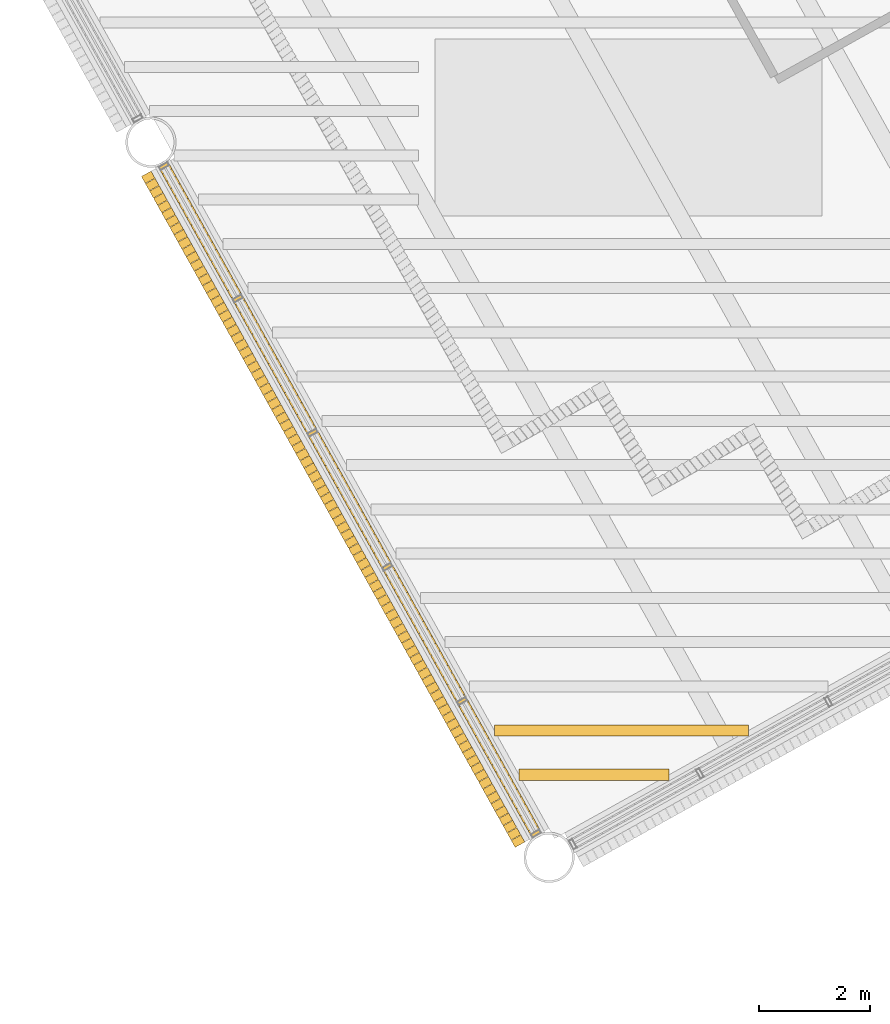
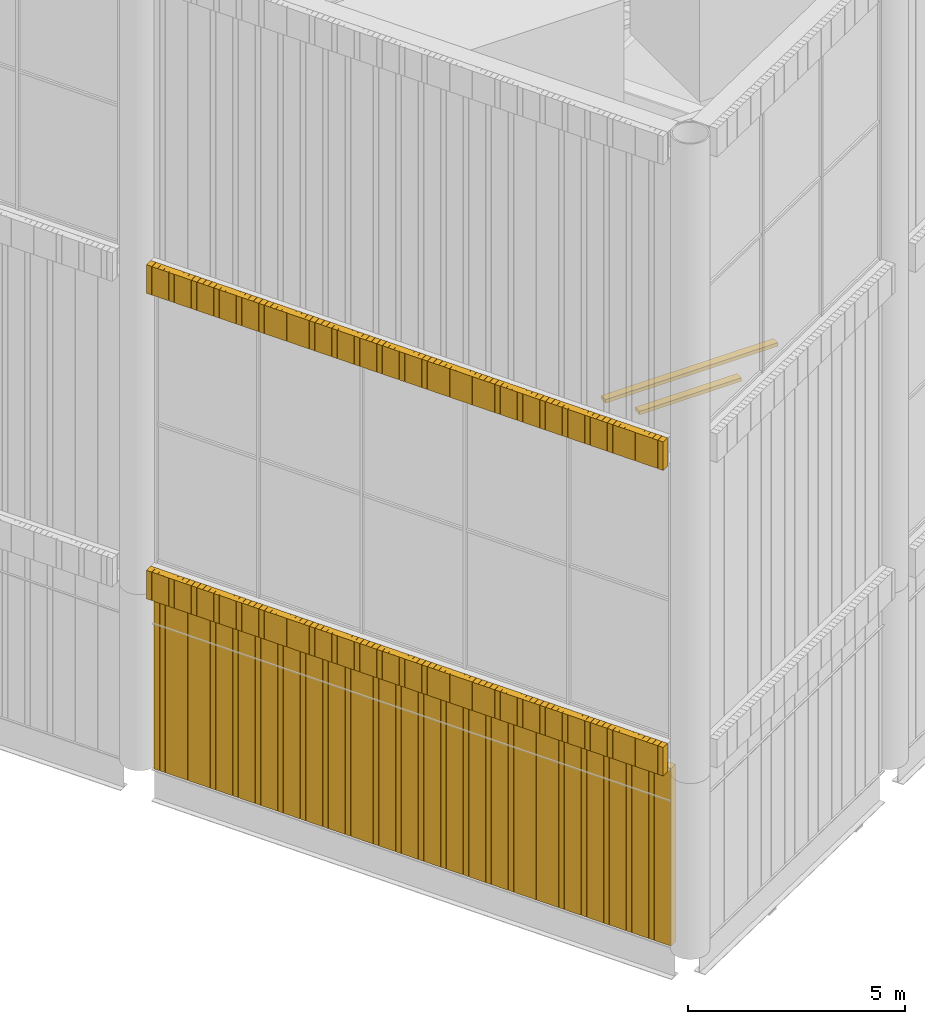
# One storey, part 85 of 117: 3 coverings, 2 shading devices.
"""IFC4 building model written with IfcOpenShell, lengths in metres."""

from ifc_helpers import new_model, si_unit, direction, frame, frame_2d, origin, origin_2d, place, context, subcontext, project, spatial, rectangle, composite_profile, extrude, material, type_object, element, save


model = new_model("IFC4")

# Units and contexts
model_context = context("Model", 3, precision=1e-05, world=origin(), true_north=direction((0.0, 1.0)))
body_context = subcontext(model_context, "Body", "Model", "MODEL_VIEW")
ifc_project = project(units=[si_unit("LENGTHUNIT", "METRE"), si_unit("AREAUNIT", "SQUARE_METRE"), si_unit("VOLUMEUNIT", "CUBIC_METRE"), si_unit("PLANEANGLEUNIT", "RADIAN"), si_unit("MASSUNIT", "GRAM", prefix="KILO")], contexts=[model_context])

# Site, building, storey
site_placement = place(None, origin())
site = spatial("IfcSite", under=ifc_project, at=site_placement, CompositionType="ELEMENT")
building_placement = place(site_placement, origin())
building = spatial("IfcBuilding", under=site, at=building_placement, Name="Tarsis Ring Headquarters", CompositionType="ELEMENT")
storey_placement = place(building_placement, frame((0.0, 0.0, 403.60009765625)))
storey = spatial("IfcBuildingStorey", under=building, at=storey_placement, Name="L95", CompositionType="ELEMENT", Elevation=403.60009765625)

# Coverings
ifc_material_1 = material(Name="Terracotta louvre", Category="masonry")
covering_type = type_object("IfcCoveringType", Name="Crown louvre fin", PredefinedType="CLADDING", material=ifc_material_1)
covering_1_placement = place(storey_placement, frame((-37.167724609375, -21.2275390625, 0.0), z_axis=(0.0, 0.0, 1.0), x_axis=(0.486629041616, -0.873604444679, 0.0)))
element("IfcCovering", 1, at=covering_1_placement, inside=storey, type_object=covering_type, Name="Crown louvre base 17", PredefinedType="CLADDING", context=body_context, shape_type="SweptSolid", body=[
    extrude(composite_profile([rectangle(XDim=0.14501953125, YDim=0.199951171875, at=frame_2d((0.072509765625, 0.0))), rectangle(XDim=0.14501953125, YDim=0.199951171875, at=frame_2d((0.223388671875, 0.0))), rectangle(XDim=0.14501953125, YDim=0.199951171875, at=frame_2d((0.37451171875, 0.0))), rectangle(XDim=0.14501953125, YDim=0.199951171875, at=frame_2d((0.525390625, 0.0))), rectangle(XDim=0.14501953125, YDim=0.199951171875, at=frame_2d((0.676513671875, 0.0))), rectangle(XDim=0.14501953125, YDim=0.199951171875, at=frame_2d((0.827392578125, 0.0))), rectangle(XDim=0.14501953125, YDim=0.199951171875, at=frame_2d((0.978515625, 0.0))), rectangle(XDim=0.14501953125, YDim=0.199951171875, at=frame_2d((1.12939453125, 0.0))), rectangle(XDim=0.14501953125, YDim=0.199951171875, at=frame_2d((1.280517578125, 0.0))), rectangle(XDim=0.14501953125, YDim=0.199951171875, at=frame_2d((1.431396484375, 0.0))), rectangle(XDim=0.14501953125, YDim=0.199951171875, at=frame_2d((1.58251953125, 0.0))), rectangle(XDim=0.14501953125, YDim=0.199951171875, at=frame_2d((1.7333984375, 0.0))), rectangle(XDim=0.14501953125, YDim=0.199951171875, at=frame_2d((1.884521484375, 0.0))), rectangle(XDim=0.14501953125, YDim=0.199951171875, at=frame_2d((2.035400390625, 0.0))), rectangle(XDim=0.14501953125, YDim=0.199951171875, at=frame_2d((2.1865234375, 0.0))), rectangle(XDim=0.14501953125, YDim=0.199951171875, at=frame_2d((2.33740234375, 0.0))), rectangle(XDim=0.14501953125, YDim=0.199951171875, at=frame_2d((2.488525390625, 0.0))), rectangle(XDim=0.14501953125, YDim=0.199951171875, at=frame_2d((2.639404296875, 0.0))), rectangle(XDim=0.14501953125, YDim=0.199951171875, at=frame_2d((2.79052734375, 0.0))), rectangle(XDim=0.14501953125, YDim=0.199951171875, at=frame_2d((2.94140625, 0.0))), rectangle(XDim=0.14501953125, YDim=0.199951171875, at=frame_2d((3.092529296875, 0.0))), rectangle(XDim=0.14501953125, YDim=0.199951171875, at=frame_2d((3.243408203125, 0.0))), rectangle(XDim=0.14501953125, YDim=0.199951171875, at=frame_2d((3.39453125, 0.0))), rectangle(XDim=0.14501953125, YDim=0.199951171875, at=frame_2d((3.54541015625, 0.0))), rectangle(XDim=0.14501953125, YDim=0.199951171875, at=frame_2d((3.696533203125, 0.0))), rectangle(XDim=0.14501953125, YDim=0.199951171875, at=frame_2d((3.847412109375, 0.0))), rectangle(XDim=0.14501953125, YDim=0.199951171875, at=frame_2d((3.99853515625, 0.0))), rectangle(XDim=0.14501953125, YDim=0.199951171875, at=frame_2d((4.1494140625, 0.0))), rectangle(XDim=0.14501953125, YDim=0.199951171875, at=frame_2d((4.300537109375, 0.0))), rectangle(XDim=0.14501953125, YDim=0.199951171875, at=frame_2d((4.451416015625, 0.0))), rectangle(XDim=0.14501953125, YDim=0.199951171875, at=frame_2d((4.6025390625, 0.0))), rectangle(XDim=0.14501953125, YDim=0.199951171875, at=frame_2d((4.75341796875, 0.0))), rectangle(XDim=0.14501953125, YDim=0.199951171875, at=frame_2d((4.904541015625, 0.0))), rectangle(XDim=0.14501953125, YDim=0.199951171875, at=frame_2d((5.055419921875, 0.0))), rectangle(XDim=0.14501953125, YDim=0.199951171875, at=frame_2d((5.20654296875, 0.0))), rectangle(XDim=0.14501953125, YDim=0.199951171875, at=frame_2d((5.357421875, 0.0))), rectangle(XDim=0.14501953125, YDim=0.199951171875, at=frame_2d((5.508544921875, 0.0))), rectangle(XDim=0.14501953125, YDim=0.199951171875, at=frame_2d((5.659423828125, 0.0))), rectangle(XDim=0.14501953125, YDim=0.199951171875, at=frame_2d((5.810546875, 0.0))), rectangle(XDim=0.14501953125, YDim=0.199951171875, at=frame_2d((5.96142578125, 0.0))), rectangle(XDim=0.14501953125, YDim=0.199951171875, at=frame_2d((6.112548828125, 0.0))), rectangle(XDim=0.14501953125, YDim=0.199951171875, at=frame_2d((6.263427734375, 0.0))), rectangle(XDim=0.14501953125, YDim=0.199951171875, at=frame_2d((6.41455078125, 0.0))), rectangle(XDim=0.14501953125, YDim=0.199951171875, at=frame_2d((6.5654296875, 0.0))), rectangle(XDim=0.14501953125, YDim=0.199951171875, at=frame_2d((6.716552734375, 0.0))), rectangle(XDim=0.14501953125, YDim=0.199951171875, at=frame_2d((6.867431640625, 0.0))), rectangle(XDim=0.14501953125, YDim=0.199951171875, at=frame_2d((7.0185546875, 0.0))), rectangle(XDim=0.14501953125, YDim=0.199951171875, at=frame_2d((7.16943359375, 0.0))), rectangle(XDim=0.14501953125, YDim=0.199951171875, at=frame_2d((7.320556640625, 0.0))), rectangle(XDim=0.14501953125, YDim=0.199951171875, at=frame_2d((7.471435546875, 0.0))), rectangle(XDim=0.14501953125, YDim=0.199951171875, at=frame_2d((7.62255859375, 0.0))), rectangle(XDim=0.14501953125, YDim=0.199951171875, at=frame_2d((7.7734375, 0.0))), rectangle(XDim=0.14501953125, YDim=0.199951171875, at=frame_2d((7.924560546875, 0.0))), rectangle(XDim=0.14501953125, YDim=0.199951171875, at=frame_2d((8.075439453125, 0.0))), rectangle(XDim=0.14501953125, YDim=0.199951171875, at=frame_2d((8.2265625, 0.0))), rectangle(XDim=0.14501953125, YDim=0.199951171875, at=frame_2d((8.37744140625, 0.0))), rectangle(XDim=0.14501953125, YDim=0.199951171875, at=frame_2d((8.528564453125, 0.0))), rectangle(XDim=0.14501953125, YDim=0.199951171875, at=frame_2d((8.679443359375, 0.0))), rectangle(XDim=0.14501953125, YDim=0.199951171875, at=frame_2d((8.83056640625, 0.0))), rectangle(XDim=0.14501953125, YDim=0.199951171875, at=frame_2d((8.9814453125, 0.0))), rectangle(XDim=0.14501953125, YDim=0.199951171875, at=frame_2d((9.132568359375, 0.0))), rectangle(XDim=0.14501953125, YDim=0.199951171875, at=frame_2d((9.283447265625, 0.0))), rectangle(XDim=0.14501953125, YDim=0.199951171875, at=frame_2d((9.4345703125, 0.0))), rectangle(XDim=0.14501953125, YDim=0.199951171875, at=frame_2d((9.58544921875, 0.0))), rectangle(XDim=0.14501953125, YDim=0.199951171875, at=frame_2d((9.736572265625, 0.0))), rectangle(XDim=0.14501953125, YDim=0.199951171875, at=frame_2d((9.887451171875, 0.0))), rectangle(XDim=0.14501953125, YDim=0.199951171875, at=frame_2d((10.03857421875, 0.0))), rectangle(XDim=0.14501953125, YDim=0.199951171875, at=frame_2d((10.189453125, 0.0))), rectangle(XDim=0.14501953125, YDim=0.199951171875, at=frame_2d((10.340576171875, 0.0))), rectangle(XDim=0.14501953125, YDim=0.199951171875, at=frame_2d((10.491455078125, 0.0))), rectangle(XDim=0.14501953125, YDim=0.199951171875, at=frame_2d((10.642578125, 0.0))), rectangle(XDim=0.14501953125, YDim=0.199951171875, at=frame_2d((10.79345703125, 0.0))), rectangle(XDim=0.14501953125, YDim=0.199951171875, at=frame_2d((10.944580078125, 0.0))), rectangle(XDim=0.14501953125, YDim=0.199951171875, at=frame_2d((11.095458984375, 0.0))), rectangle(XDim=0.14501953125, YDim=0.199951171875, at=frame_2d((11.24658203125, 0.0))), rectangle(XDim=0.14501953125, YDim=0.199951171875, at=frame_2d((11.3974609375, 0.0))), rectangle(XDim=0.14501953125, YDim=0.199951171875, at=frame_2d((11.548583984375, 0.0))), rectangle(XDim=0.14501953125, YDim=0.199951171875, at=frame_2d((11.699462890625, 0.0))), rectangle(XDim=0.14501953125, YDim=0.199951171875, at=frame_2d((11.8505859375, 0.0))), rectangle(XDim=0.14501953125, YDim=0.199951171875, at=frame_2d((12.00146484375, 0.0))), rectangle(XDim=0.14501953125, YDim=0.199951171875, at=frame_2d((12.152587890625, 0.0))), rectangle(XDim=0.14501953125, YDim=0.199951171875, at=frame_2d((12.303466796875, 0.0))), rectangle(XDim=0.14501953125, YDim=0.199951171875, at=frame_2d((12.45458984375, 0.0))), rectangle(XDim=0.14501953125, YDim=0.199951171875, at=frame_2d((12.60546875, 0.0))), rectangle(XDim=0.14501953125, YDim=0.199951171875, at=frame_2d((12.756591796875, 0.0))), rectangle(XDim=0.14501953125, YDim=0.199951171875, at=frame_2d((12.907470703125, 0.0))), rectangle(XDim=0.14501953125, YDim=0.199951171875, at=frame_2d((13.05859375, 0.0))), rectangle(XDim=0.14501953125, YDim=0.199951171875, at=frame_2d((13.20947265625, 0.0))), rectangle(XDim=0.14501953125, YDim=0.199951171875, at=frame_2d((13.360595703125, 0.0))), rectangle(XDim=0.14501953125, YDim=0.199951171875, at=frame_2d((13.511474609375, 0.0))), rectangle(XDim=0.14501953125, YDim=0.199951171875, at=frame_2d((13.66259765625, 0.0))), rectangle(XDim=0.14501953125, YDim=0.199951171875, at=frame_2d((13.8134765625, 0.0)))]), origin(), (0.0, 0.0, 1.0), 5.0),
])
covering_2_placement = place(storey_placement, frame((-37.4736328125, -21.397705078125, 5.0), z_axis=(0.0, 0.0, 1.0), x_axis=(0.486646623415, -0.873604444679, 0.0)))
element("IfcCovering", 2, at=covering_2_placement, inside=storey, type_object=covering_type, Name="Crown louvre fascia R17", PredefinedType="CLADDING", context=body_context, shape_type="SweptSolid", body=[
    extrude(composite_profile([rectangle(XDim=0.14501953125, YDim=0.199951171875, at=frame_2d((0.072509765625, 0.0))), rectangle(XDim=0.14501953125, YDim=0.199951171875, at=frame_2d((0.223388671875, 0.0))), rectangle(XDim=0.14501953125, YDim=0.199951171875, at=frame_2d((0.37451171875, 0.0))), rectangle(XDim=0.14501953125, YDim=0.199951171875, at=frame_2d((0.525390625, 0.0))), rectangle(XDim=0.14501953125, YDim=0.199951171875, at=frame_2d((0.676513671875, 0.0))), rectangle(XDim=0.14501953125, YDim=0.199951171875, at=frame_2d((0.827392578125, 0.0))), rectangle(XDim=0.14501953125, YDim=0.199951171875, at=frame_2d((0.978515625, 0.0))), rectangle(XDim=0.14501953125, YDim=0.199951171875, at=frame_2d((1.12939453125, 0.0))), rectangle(XDim=0.14501953125, YDim=0.199951171875, at=frame_2d((1.280517578125, 0.0))), rectangle(XDim=0.14501953125, YDim=0.199951171875, at=frame_2d((1.431396484375, 0.0))), rectangle(XDim=0.14501953125, YDim=0.199951171875, at=frame_2d((1.58251953125, 0.0))), rectangle(XDim=0.14501953125, YDim=0.199951171875, at=frame_2d((1.7333984375, 0.0))), rectangle(XDim=0.14501953125, YDim=0.199951171875, at=frame_2d((1.884521484375, 0.0))), rectangle(XDim=0.14501953125, YDim=0.199951171875, at=frame_2d((2.035400390625, 0.0))), rectangle(XDim=0.14501953125, YDim=0.199951171875, at=frame_2d((2.1865234375, 0.0))), rectangle(XDim=0.14501953125, YDim=0.199951171875, at=frame_2d((2.33740234375, 0.0))), rectangle(XDim=0.14501953125, YDim=0.199951171875, at=frame_2d((2.488525390625, 0.0))), rectangle(XDim=0.14501953125, YDim=0.199951171875, at=frame_2d((2.639404296875, 0.0))), rectangle(XDim=0.14501953125, YDim=0.199951171875, at=frame_2d((2.79052734375, 0.0))), rectangle(XDim=0.14501953125, YDim=0.199951171875, at=frame_2d((2.94140625, 0.0))), rectangle(XDim=0.14501953125, YDim=0.199951171875, at=frame_2d((3.092529296875, 0.0))), rectangle(XDim=0.14501953125, YDim=0.199951171875, at=frame_2d((3.243408203125, 0.0))), rectangle(XDim=0.14501953125, YDim=0.199951171875, at=frame_2d((3.39453125, 0.0))), rectangle(XDim=0.14501953125, YDim=0.199951171875, at=frame_2d((3.54541015625, 0.0))), rectangle(XDim=0.14501953125, YDim=0.199951171875, at=frame_2d((3.696533203125, 0.0))), rectangle(XDim=0.14501953125, YDim=0.199951171875, at=frame_2d((3.847412109375, 0.0))), rectangle(XDim=0.14501953125, YDim=0.199951171875, at=frame_2d((3.99853515625, 0.0))), rectangle(XDim=0.14501953125, YDim=0.199951171875, at=frame_2d((4.1494140625, 0.0))), rectangle(XDim=0.14501953125, YDim=0.199951171875, at=frame_2d((4.300537109375, 0.0))), rectangle(XDim=0.14501953125, YDim=0.199951171875, at=frame_2d((4.451416015625, 0.0))), rectangle(XDim=0.14501953125, YDim=0.199951171875, at=frame_2d((4.6025390625, 0.0))), rectangle(XDim=0.14501953125, YDim=0.199951171875, at=frame_2d((4.75341796875, 0.0))), rectangle(XDim=0.14501953125, YDim=0.199951171875, at=frame_2d((4.904541015625, 0.0))), rectangle(XDim=0.14501953125, YDim=0.199951171875, at=frame_2d((5.055419921875, 0.0))), rectangle(XDim=0.14501953125, YDim=0.199951171875, at=frame_2d((5.20654296875, 0.0))), rectangle(XDim=0.14501953125, YDim=0.199951171875, at=frame_2d((5.357421875, 0.0))), rectangle(XDim=0.14501953125, YDim=0.199951171875, at=frame_2d((5.508544921875, 0.0))), rectangle(XDim=0.14501953125, YDim=0.199951171875, at=frame_2d((5.659423828125, 0.0))), rectangle(XDim=0.14501953125, YDim=0.199951171875, at=frame_2d((5.810546875, 0.0))), rectangle(XDim=0.14501953125, YDim=0.199951171875, at=frame_2d((5.96142578125, 0.0))), rectangle(XDim=0.14501953125, YDim=0.199951171875, at=frame_2d((6.112548828125, 0.0))), rectangle(XDim=0.14501953125, YDim=0.199951171875, at=frame_2d((6.263427734375, 0.0))), rectangle(XDim=0.14501953125, YDim=0.199951171875, at=frame_2d((6.41455078125, 0.0))), rectangle(XDim=0.14501953125, YDim=0.199951171875, at=frame_2d((6.5654296875, 0.0))), rectangle(XDim=0.14501953125, YDim=0.199951171875, at=frame_2d((6.716552734375, 0.0))), rectangle(XDim=0.14501953125, YDim=0.199951171875, at=frame_2d((6.867431640625, 0.0))), rectangle(XDim=0.14501953125, YDim=0.199951171875, at=frame_2d((7.0185546875, 0.0))), rectangle(XDim=0.14501953125, YDim=0.199951171875, at=frame_2d((7.16943359375, 0.0))), rectangle(XDim=0.14501953125, YDim=0.199951171875, at=frame_2d((7.320556640625, 0.0))), rectangle(XDim=0.14501953125, YDim=0.199951171875, at=frame_2d((7.471435546875, 0.0))), rectangle(XDim=0.14501953125, YDim=0.199951171875, at=frame_2d((7.62255859375, 0.0))), rectangle(XDim=0.14501953125, YDim=0.199951171875, at=frame_2d((7.7734375, 0.0))), rectangle(XDim=0.14501953125, YDim=0.199951171875, at=frame_2d((7.924560546875, 0.0))), rectangle(XDim=0.14501953125, YDim=0.199951171875, at=frame_2d((8.075439453125, 0.0))), rectangle(XDim=0.14501953125, YDim=0.199951171875, at=frame_2d((8.2265625, 0.0))), rectangle(XDim=0.14501953125, YDim=0.199951171875, at=frame_2d((8.37744140625, 0.0))), rectangle(XDim=0.14501953125, YDim=0.199951171875, at=frame_2d((8.528564453125, 0.0))), rectangle(XDim=0.14501953125, YDim=0.199951171875, at=frame_2d((8.679443359375, 0.0))), rectangle(XDim=0.14501953125, YDim=0.199951171875, at=frame_2d((8.83056640625, 0.0))), rectangle(XDim=0.14501953125, YDim=0.199951171875, at=frame_2d((8.9814453125, 0.0))), rectangle(XDim=0.14501953125, YDim=0.199951171875, at=frame_2d((9.132568359375, 0.0))), rectangle(XDim=0.14501953125, YDim=0.199951171875, at=frame_2d((9.283447265625, 0.0))), rectangle(XDim=0.14501953125, YDim=0.199951171875, at=frame_2d((9.4345703125, 0.0))), rectangle(XDim=0.14501953125, YDim=0.199951171875, at=frame_2d((9.58544921875, 0.0))), rectangle(XDim=0.14501953125, YDim=0.199951171875, at=frame_2d((9.736572265625, 0.0))), rectangle(XDim=0.14501953125, YDim=0.199951171875, at=frame_2d((9.887451171875, 0.0))), rectangle(XDim=0.14501953125, YDim=0.199951171875, at=frame_2d((10.03857421875, 0.0))), rectangle(XDim=0.14501953125, YDim=0.199951171875, at=frame_2d((10.189453125, 0.0))), rectangle(XDim=0.14501953125, YDim=0.199951171875, at=frame_2d((10.340576171875, 0.0))), rectangle(XDim=0.14501953125, YDim=0.199951171875, at=frame_2d((10.491455078125, 0.0))), rectangle(XDim=0.14501953125, YDim=0.199951171875, at=frame_2d((10.642578125, 0.0))), rectangle(XDim=0.14501953125, YDim=0.199951171875, at=frame_2d((10.79345703125, 0.0))), rectangle(XDim=0.14501953125, YDim=0.199951171875, at=frame_2d((10.944580078125, 0.0))), rectangle(XDim=0.14501953125, YDim=0.199951171875, at=frame_2d((11.095458984375, 0.0))), rectangle(XDim=0.14501953125, YDim=0.199951171875, at=frame_2d((11.24658203125, 0.0))), rectangle(XDim=0.14501953125, YDim=0.199951171875, at=frame_2d((11.3974609375, 0.0))), rectangle(XDim=0.14501953125, YDim=0.199951171875, at=frame_2d((11.548583984375, 0.0))), rectangle(XDim=0.14501953125, YDim=0.199951171875, at=frame_2d((11.699462890625, 0.0))), rectangle(XDim=0.14501953125, YDim=0.199951171875, at=frame_2d((11.8505859375, 0.0))), rectangle(XDim=0.14501953125, YDim=0.199951171875, at=frame_2d((12.00146484375, 0.0))), rectangle(XDim=0.14501953125, YDim=0.199951171875, at=frame_2d((12.152587890625, 0.0))), rectangle(XDim=0.14501953125, YDim=0.199951171875, at=frame_2d((12.303466796875, 0.0))), rectangle(XDim=0.14501953125, YDim=0.199951171875, at=frame_2d((12.45458984375, 0.0))), rectangle(XDim=0.14501953125, YDim=0.199951171875, at=frame_2d((12.60546875, 0.0))), rectangle(XDim=0.14501953125, YDim=0.199951171875, at=frame_2d((12.756591796875, 0.0))), rectangle(XDim=0.14501953125, YDim=0.199951171875, at=frame_2d((12.907470703125, 0.0))), rectangle(XDim=0.14501953125, YDim=0.199951171875, at=frame_2d((13.05859375, 0.0))), rectangle(XDim=0.14501953125, YDim=0.199951171875, at=frame_2d((13.20947265625, 0.0))), rectangle(XDim=0.14501953125, YDim=0.199951171875, at=frame_2d((13.360595703125, 0.0))), rectangle(XDim=0.14501953125, YDim=0.199951171875, at=frame_2d((13.511474609375, 0.0))), rectangle(XDim=0.14501953125, YDim=0.199951171875, at=frame_2d((13.66259765625, 0.0))), rectangle(XDim=0.14501953125, YDim=0.199951171875, at=frame_2d((13.8134765625, 0.0)))]), origin(), (0.0, 0.0, 1.0), 0.7998046875),
])
covering_3_placement = place(storey_placement, frame((-37.4736328125, -21.397705078125, 13.599853515625), z_axis=(0.0, 0.0, 1.0), x_axis=(0.486646623415, -0.873604444679, 0.0)))
element("IfcCovering", 3, at=covering_3_placement, inside=storey, type_object=covering_type, Name="Crown louvre fascia M17", PredefinedType="CLADDING", context=body_context, shape_type="SweptSolid", body=[
    extrude(composite_profile([rectangle(XDim=0.14501953125, YDim=0.199951171875, at=frame_2d((0.072509765625, 0.0))), rectangle(XDim=0.14501953125, YDim=0.199951171875, at=frame_2d((0.223388671875, 0.0))), rectangle(XDim=0.14501953125, YDim=0.199951171875, at=frame_2d((0.37451171875, 0.0))), rectangle(XDim=0.14501953125, YDim=0.199951171875, at=frame_2d((0.525390625, 0.0))), rectangle(XDim=0.14501953125, YDim=0.199951171875, at=frame_2d((0.676513671875, 0.0))), rectangle(XDim=0.14501953125, YDim=0.199951171875, at=frame_2d((0.827392578125, 0.0))), rectangle(XDim=0.14501953125, YDim=0.199951171875, at=frame_2d((0.978515625, 0.0))), rectangle(XDim=0.14501953125, YDim=0.199951171875, at=frame_2d((1.12939453125, 0.0))), rectangle(XDim=0.14501953125, YDim=0.199951171875, at=frame_2d((1.280517578125, 0.0))), rectangle(XDim=0.14501953125, YDim=0.199951171875, at=frame_2d((1.431396484375, 0.0))), rectangle(XDim=0.14501953125, YDim=0.199951171875, at=frame_2d((1.58251953125, 0.0))), rectangle(XDim=0.14501953125, YDim=0.199951171875, at=frame_2d((1.7333984375, 0.0))), rectangle(XDim=0.14501953125, YDim=0.199951171875, at=frame_2d((1.884521484375, 0.0))), rectangle(XDim=0.14501953125, YDim=0.199951171875, at=frame_2d((2.035400390625, 0.0))), rectangle(XDim=0.14501953125, YDim=0.199951171875, at=frame_2d((2.1865234375, 0.0))), rectangle(XDim=0.14501953125, YDim=0.199951171875, at=frame_2d((2.33740234375, 0.0))), rectangle(XDim=0.14501953125, YDim=0.199951171875, at=frame_2d((2.488525390625, 0.0))), rectangle(XDim=0.14501953125, YDim=0.199951171875, at=frame_2d((2.639404296875, 0.0))), rectangle(XDim=0.14501953125, YDim=0.199951171875, at=frame_2d((2.79052734375, 0.0))), rectangle(XDim=0.14501953125, YDim=0.199951171875, at=frame_2d((2.94140625, 0.0))), rectangle(XDim=0.14501953125, YDim=0.199951171875, at=frame_2d((3.092529296875, 0.0))), rectangle(XDim=0.14501953125, YDim=0.199951171875, at=frame_2d((3.243408203125, 0.0))), rectangle(XDim=0.14501953125, YDim=0.199951171875, at=frame_2d((3.39453125, 0.0))), rectangle(XDim=0.14501953125, YDim=0.199951171875, at=frame_2d((3.54541015625, 0.0))), rectangle(XDim=0.14501953125, YDim=0.199951171875, at=frame_2d((3.696533203125, 0.0))), rectangle(XDim=0.14501953125, YDim=0.199951171875, at=frame_2d((3.847412109375, 0.0))), rectangle(XDim=0.14501953125, YDim=0.199951171875, at=frame_2d((3.99853515625, 0.0))), rectangle(XDim=0.14501953125, YDim=0.199951171875, at=frame_2d((4.1494140625, 0.0))), rectangle(XDim=0.14501953125, YDim=0.199951171875, at=frame_2d((4.300537109375, 0.0))), rectangle(XDim=0.14501953125, YDim=0.199951171875, at=frame_2d((4.451416015625, 0.0))), rectangle(XDim=0.14501953125, YDim=0.199951171875, at=frame_2d((4.6025390625, 0.0))), rectangle(XDim=0.14501953125, YDim=0.199951171875, at=frame_2d((4.75341796875, 0.0))), rectangle(XDim=0.14501953125, YDim=0.199951171875, at=frame_2d((4.904541015625, 0.0))), rectangle(XDim=0.14501953125, YDim=0.199951171875, at=frame_2d((5.055419921875, 0.0))), rectangle(XDim=0.14501953125, YDim=0.199951171875, at=frame_2d((5.20654296875, 0.0))), rectangle(XDim=0.14501953125, YDim=0.199951171875, at=frame_2d((5.357421875, 0.0))), rectangle(XDim=0.14501953125, YDim=0.199951171875, at=frame_2d((5.508544921875, 0.0))), rectangle(XDim=0.14501953125, YDim=0.199951171875, at=frame_2d((5.659423828125, 0.0))), rectangle(XDim=0.14501953125, YDim=0.199951171875, at=frame_2d((5.810546875, 0.0))), rectangle(XDim=0.14501953125, YDim=0.199951171875, at=frame_2d((5.96142578125, 0.0))), rectangle(XDim=0.14501953125, YDim=0.199951171875, at=frame_2d((6.112548828125, 0.0))), rectangle(XDim=0.14501953125, YDim=0.199951171875, at=frame_2d((6.263427734375, 0.0))), rectangle(XDim=0.14501953125, YDim=0.199951171875, at=frame_2d((6.41455078125, 0.0))), rectangle(XDim=0.14501953125, YDim=0.199951171875, at=frame_2d((6.5654296875, 0.0))), rectangle(XDim=0.14501953125, YDim=0.199951171875, at=frame_2d((6.716552734375, 0.0))), rectangle(XDim=0.14501953125, YDim=0.199951171875, at=frame_2d((6.867431640625, 0.0))), rectangle(XDim=0.14501953125, YDim=0.199951171875, at=frame_2d((7.0185546875, 0.0))), rectangle(XDim=0.14501953125, YDim=0.199951171875, at=frame_2d((7.16943359375, 0.0))), rectangle(XDim=0.14501953125, YDim=0.199951171875, at=frame_2d((7.320556640625, 0.0))), rectangle(XDim=0.14501953125, YDim=0.199951171875, at=frame_2d((7.471435546875, 0.0))), rectangle(XDim=0.14501953125, YDim=0.199951171875, at=frame_2d((7.62255859375, 0.0))), rectangle(XDim=0.14501953125, YDim=0.199951171875, at=frame_2d((7.7734375, 0.0))), rectangle(XDim=0.14501953125, YDim=0.199951171875, at=frame_2d((7.924560546875, 0.0))), rectangle(XDim=0.14501953125, YDim=0.199951171875, at=frame_2d((8.075439453125, 0.0))), rectangle(XDim=0.14501953125, YDim=0.199951171875, at=frame_2d((8.2265625, 0.0))), rectangle(XDim=0.14501953125, YDim=0.199951171875, at=frame_2d((8.37744140625, 0.0))), rectangle(XDim=0.14501953125, YDim=0.199951171875, at=frame_2d((8.528564453125, 0.0))), rectangle(XDim=0.14501953125, YDim=0.199951171875, at=frame_2d((8.679443359375, 0.0))), rectangle(XDim=0.14501953125, YDim=0.199951171875, at=frame_2d((8.83056640625, 0.0))), rectangle(XDim=0.14501953125, YDim=0.199951171875, at=frame_2d((8.9814453125, 0.0))), rectangle(XDim=0.14501953125, YDim=0.199951171875, at=frame_2d((9.132568359375, 0.0))), rectangle(XDim=0.14501953125, YDim=0.199951171875, at=frame_2d((9.283447265625, 0.0))), rectangle(XDim=0.14501953125, YDim=0.199951171875, at=frame_2d((9.4345703125, 0.0))), rectangle(XDim=0.14501953125, YDim=0.199951171875, at=frame_2d((9.58544921875, 0.0))), rectangle(XDim=0.14501953125, YDim=0.199951171875, at=frame_2d((9.736572265625, 0.0))), rectangle(XDim=0.14501953125, YDim=0.199951171875, at=frame_2d((9.887451171875, 0.0))), rectangle(XDim=0.14501953125, YDim=0.199951171875, at=frame_2d((10.03857421875, 0.0))), rectangle(XDim=0.14501953125, YDim=0.199951171875, at=frame_2d((10.189453125, 0.0))), rectangle(XDim=0.14501953125, YDim=0.199951171875, at=frame_2d((10.340576171875, 0.0))), rectangle(XDim=0.14501953125, YDim=0.199951171875, at=frame_2d((10.491455078125, 0.0))), rectangle(XDim=0.14501953125, YDim=0.199951171875, at=frame_2d((10.642578125, 0.0))), rectangle(XDim=0.14501953125, YDim=0.199951171875, at=frame_2d((10.79345703125, 0.0))), rectangle(XDim=0.14501953125, YDim=0.199951171875, at=frame_2d((10.944580078125, 0.0))), rectangle(XDim=0.14501953125, YDim=0.199951171875, at=frame_2d((11.095458984375, 0.0))), rectangle(XDim=0.14501953125, YDim=0.199951171875, at=frame_2d((11.24658203125, 0.0))), rectangle(XDim=0.14501953125, YDim=0.199951171875, at=frame_2d((11.3974609375, 0.0))), rectangle(XDim=0.14501953125, YDim=0.199951171875, at=frame_2d((11.548583984375, 0.0))), rectangle(XDim=0.14501953125, YDim=0.199951171875, at=frame_2d((11.699462890625, 0.0))), rectangle(XDim=0.14501953125, YDim=0.199951171875, at=frame_2d((11.8505859375, 0.0))), rectangle(XDim=0.14501953125, YDim=0.199951171875, at=frame_2d((12.00146484375, 0.0))), rectangle(XDim=0.14501953125, YDim=0.199951171875, at=frame_2d((12.152587890625, 0.0))), rectangle(XDim=0.14501953125, YDim=0.199951171875, at=frame_2d((12.303466796875, 0.0))), rectangle(XDim=0.14501953125, YDim=0.199951171875, at=frame_2d((12.45458984375, 0.0))), rectangle(XDim=0.14501953125, YDim=0.199951171875, at=frame_2d((12.60546875, 0.0))), rectangle(XDim=0.14501953125, YDim=0.199951171875, at=frame_2d((12.756591796875, 0.0))), rectangle(XDim=0.14501953125, YDim=0.199951171875, at=frame_2d((12.907470703125, 0.0))), rectangle(XDim=0.14501953125, YDim=0.199951171875, at=frame_2d((13.05859375, 0.0))), rectangle(XDim=0.14501953125, YDim=0.199951171875, at=frame_2d((13.20947265625, 0.0))), rectangle(XDim=0.14501953125, YDim=0.199951171875, at=frame_2d((13.360595703125, 0.0))), rectangle(XDim=0.14501953125, YDim=0.199951171875, at=frame_2d((13.511474609375, 0.0))), rectangle(XDim=0.14501953125, YDim=0.199951171875, at=frame_2d((13.66259765625, 0.0))), rectangle(XDim=0.14501953125, YDim=0.199951171875, at=frame_2d((13.8134765625, 0.0)))]), origin(), (0.0, 0.0, 1.0), 0.800048828125),
])

# Shading devices
ifc_material_2 = material(Name="Aluminium louvre", Category="aluminium")
shading_device_type = type_object("IfcShadingDeviceType", Name="Crown roof louvre blade", PredefinedType="USERDEFINED", material=ifc_material_2)
shading_device_1_placement = place(storey_placement, frame((-29.377197265625, -32.26416015625, 14.39990234375), z_axis=(0.0, 0.0, 1.0), x_axis=(1.0, 0.0, 0.0)))
element("IfcShadingDevice", 4, at=shading_device_1_placement, inside=storey, type_object=shading_device_type, Name="Crown roof louvre 3", ObjectType="Crown roof louvre", PredefinedType="USERDEFINED", context=body_context, shape_type="SweptSolid", body=[
    extrude(rectangle(XDim=2.712646484375, YDim=0.199951171875, at=origin_2d()), origin(), (0.0, 0.0, 1.0), 0.10009765625),
])
shading_device_2_placement = place(storey_placement, frame((-28.882080078125, -31.464111328125, 14.39990234375), z_axis=(0.0, 0.0, 1.0), x_axis=(1.0, 0.0, 0.0)))
element("IfcShadingDevice", 5, at=shading_device_2_placement, inside=storey, type_object=shading_device_type, Name="Crown roof louvre 5", ObjectType="Crown roof louvre", PredefinedType="USERDEFINED", context=body_context, shape_type="SweptSolid", body=[
    extrude(rectangle(XDim=4.594482421875, YDim=0.199951171875, at=origin_2d()), origin(), (0.0, 0.0, 1.0), 0.10009765625),
])

save(model, "model.ifc")
